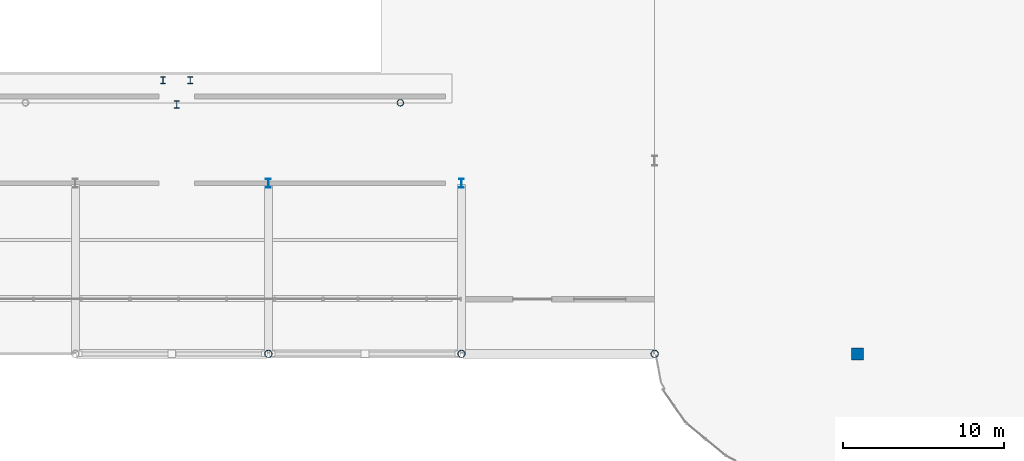
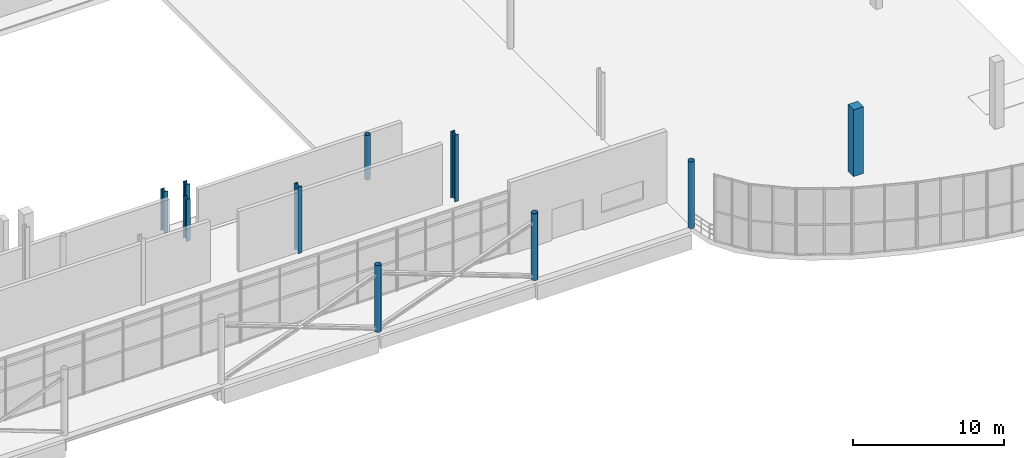
# One storey, part 5 of 85: 10 columns.
"""IFC4 building model written with IfcOpenShell, lengths in metres."""

from ifc_helpers import new_model, si_unit, direction, frame, origin, origin_2d, place, context, subcontext, project, spatial, rectangle, hollow_circle, i_section, extrude, material, material_profile, profile_set, type_object, element, save


model = new_model("IFC4")

# Units and contexts
model_context = context("Model", 3, precision=1e-05, world=origin(), true_north=direction((0.0, 1.0)))
body_context = subcontext(model_context, "Body", "Model", "MODEL_VIEW")
ifc_project = project(units=[si_unit("LENGTHUNIT", "METRE"), si_unit("AREAUNIT", "SQUARE_METRE"), si_unit("VOLUMEUNIT", "CUBIC_METRE"), si_unit("PLANEANGLEUNIT", "RADIAN"), si_unit("MASSUNIT", "GRAM", prefix="KILO"), si_unit("THERMODYNAMICTEMPERATUREUNIT", "KELVIN"), si_unit("POWERUNIT", "WATT")], contexts=[model_context])

# Site, building, storey
site_placement = place(None, origin())
site = spatial("IfcSite", under=ifc_project, at=site_placement, CompositionType="ELEMENT")
building_placement = place(site_placement, origin())
building = spatial("IfcBuilding", under=site, at=building_placement, Name="Solmara Park Aquatics Centre", CompositionType="ELEMENT")
storey_placement = place(building_placement, origin())
storey = spatial("IfcBuildingStorey", under=building, at=storey_placement, Name="L00", CompositionType="ELEMENT", Elevation=0.0)

# Columns
ifc_material_1 = material(Name="Structural Steel S355", Category="steel")
ifc_material_profile_1 = material_profile(ifc_material_1, hollow_circle(Radius=0.203125, WallThickness=0.01611328125, at=origin_2d()), Name="CHS 406.4x16")
ifc_profile_set_1 = profile_set([ifc_material_profile_1], Name="Structural Steel S355")
column_type_1 = type_object("IfcColumnType", Name="STR-COL-CHS406", PredefinedType="COLUMN", material=ifc_profile_set_1)
column_1_placement = place(storey_placement, frame((80.800048828125, 28.199951171875, 0.0), z_axis=(0.0, 0.0, 1.0), x_axis=(1.0, 0.0, 0.0)))
element("IfcColumn", 1, at=column_1_placement, inside=storey, type_object=column_type_1, Name="Upper Stand Front Column L00 S2-2", PredefinedType="COLUMN", context=body_context, shape_type="SweptSolid", body=[
    extrude(hollow_circle(Radius=0.203125, WallThickness=0.01611328125, at=origin_2d()), origin(), (0.0, 0.0, 1.0), 3.60009765625),
])
ifc_material_profile_2 = material_profile(ifc_material_1, hollow_circle(Radius=0.228515625, WallThickness=0.01611328125, at=origin_2d()), Name="CHS 457x16")
ifc_profile_set_2 = profile_set([ifc_material_profile_2], Name="Structural Steel S355")
column_type_2 = type_object("IfcColumnType", Name="STR-COL-CHS457", PredefinedType="COLUMN", material=ifc_profile_set_2)
for number, where, z_axis, x_axis, name in (
    (2, (72.60009765625, 12.60009765625, 0.0), (0.0, 0.0, 1.0), (1.0, 0.0, 0.0), "Column L00-0213"),
    (3, (84.60009765625, 12.60009765625, 0.0), (0.0, 0.0, 1.0), (1.0, 0.0, 0.0), "Column L00-0221"),
    (4, (96.60009765625, 12.60009765625, 0.0), (0.0, 0.0, 1.0), (1.0, 0.0, 0.0), "Column L00-0229"),
):
    element("IfcColumn", number, at=place(storey_placement, frame(where, z_axis=z_axis, x_axis=x_axis)), inside=storey, type_object=column_type_2, Name=name, PredefinedType="COLUMN", context=body_context, shape_type="SweptSolid", body=[
        extrude(hollow_circle(Radius=0.228515625, WallThickness=0.01611328125, at=origin_2d()), origin(), (0.0, 0.0, 1.0), 5.39990234375),
    ])
ifc_material_profile_3 = material_profile(ifc_material_1, i_section(OverallWidth=0.300048828125, OverallDepth=0.449951171875, WebThickness=0.013916015625, FlangeThickness=0.02587890625, FilletRadius=0.027099609375, at=origin_2d()), Name="HEB 450")
ifc_profile_set_3 = profile_set([ifc_material_profile_3], Name="Structural Steel S355")
column_type_3 = type_object("IfcColumnType", Name="STR-COL-HEB450", PredefinedType="COLUMN", material=ifc_profile_set_3)
for number, where, z_axis, x_axis, name in (
    (5, (66.050048828125, 29.60009765625, 0.0), (0.0, 0.0, 1.0), (1.0, 0.0, 0.0), "Vomitory Stair VS-04 Support Column 1"),
    (6, (67.75, 29.60009765625, 0.0), (0.0, 0.0, 1.0), (1.0, 0.0, 0.0), "Vomitory Stair VS-04 Support Column 2"),
    (7, (66.89990234375, 28.10009765625, 0.0), (0.0, 0.0, 1.0), (1.0, 0.0, 0.0), "Vomitory Stair VS-04 Support Column 3"),
):
    element("IfcColumn", number, at=place(storey_placement, frame(where, z_axis=z_axis, x_axis=x_axis)), inside=storey, type_object=column_type_3, Name=name, PredefinedType="COLUMN", context=body_context, shape_type="SweptSolid", body=[
        extrude(i_section(OverallWidth=0.300048828125, OverallDepth=0.449951171875, WebThickness=0.013916015625, FlangeThickness=0.02587890625, FilletRadius=0.027099609375, at=origin_2d()), origin(), (0.0, 0.0, 1.0), 3.3798828125),
    ])
ifc_material_profile_4 = material_profile(ifc_material_1, i_section(OverallWidth=0.300048828125, OverallDepth=0.550048828125, WebThickness=0.014892578125, FlangeThickness=0.029052734375, FilletRadius=0.027099609375, at=origin_2d()), Name="HEB 550")
ifc_profile_set_4 = profile_set([ifc_material_profile_4], Name="Structural Steel S355")
column_type_4 = type_object("IfcColumnType", Name="STR-COL-HEB550", PredefinedType="COLUMN", material=ifc_profile_set_4)
for number, where, z_axis, x_axis, name in (
    (8, (72.60009765625, 23.199951171875, 0.0), (0.0, 0.0, 1.0), (1.0, 0.0, 0.0), "Column L00-0214"),
    (9, (84.60009765625, 23.199951171875, 0.0), (0.0, 0.0, 1.0), (1.0, 0.0, 0.0), "Column L00-0222"),
):
    element("IfcColumn", number, at=place(storey_placement, frame(where, z_axis=z_axis, x_axis=x_axis)), inside=storey, type_object=column_type_4, Name=name, PredefinedType="COLUMN", context=body_context, shape_type="SweptSolid", body=[
        extrude(i_section(OverallWidth=0.300048828125, OverallDepth=0.550048828125, WebThickness=0.014892578125, FlangeThickness=0.029052734375, FilletRadius=0.027099609375, at=origin_2d()), origin(), (0.0, 0.0, 1.0), 5.39990234375),
    ])
ifc_material_2 = material(Name="Concrete C40/50", Category="concrete")
ifc_material_profile_5 = material_profile(ifc_material_2, rectangle(XDim=0.75, YDim=0.75, at=origin_2d()), Name="RC 750x750")
ifc_profile_set_5 = profile_set([ifc_material_profile_5], Name="Concrete C40/50")
column_type_5 = type_object("IfcColumnType", Name="STR-COL-RC750", PredefinedType="COLUMN", material=ifc_profile_set_5)
column_2_placement = place(storey_placement, frame((109.199951171875, 12.60009765625, 0.0), z_axis=(0.0, 0.0, 1.0), x_axis=(1.0, 0.0, 0.0)))
element("IfcColumn", 10, at=column_2_placement, inside=storey, type_object=column_type_5, Name="Column L00-0241", PredefinedType="COLUMN", context=body_context, shape_type="SweptSolid", body=[
    extrude(rectangle(XDim=0.75, YDim=0.75, at=origin_2d()), origin(), (0.0, 0.0, 1.0), 5.39990234375),
])

save(model, "model.ifc")
